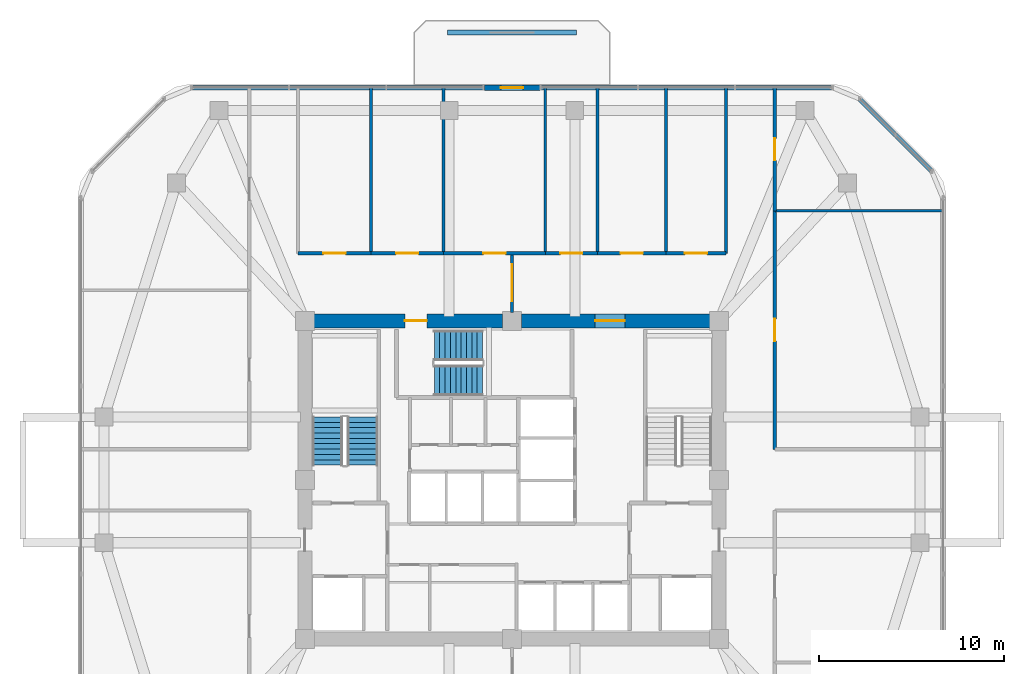
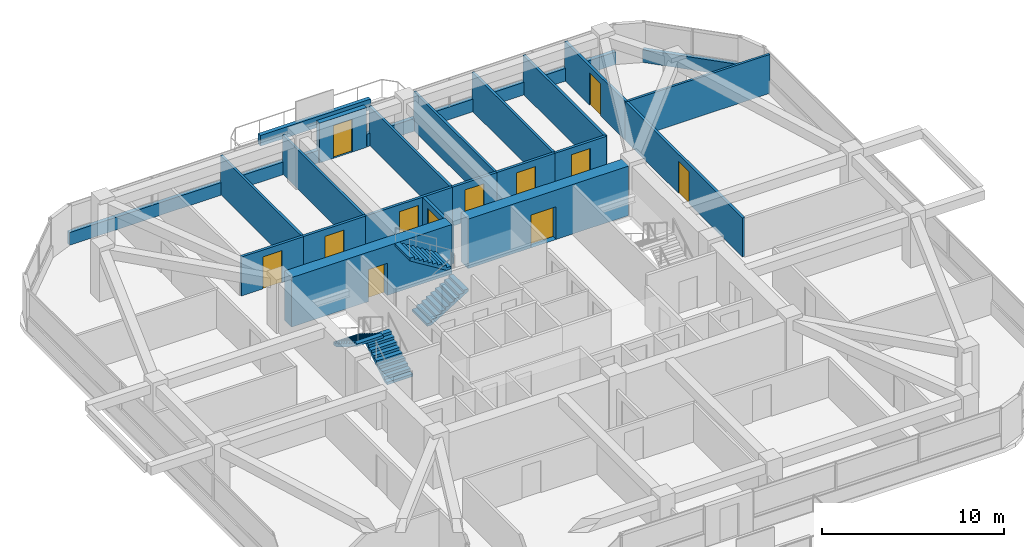
# One storey, part 9 of 12: 23 walls, 12 doors, 4 stair flights, 12 openings, 2 elements without a shape of their own.
"""IFC4 building model written with IfcOpenShell, lengths in metres."""

from ifc_helpers import new_model, si_unit, derived_unit, direction, frame, frame_2d, origin, place, context, subcontext, project, spatial, polyline, rectangle, outline, extrude, material, layer, layer_set, type_object, element, fill, aggregate, save


model = new_model("IFC4")

# Units and contexts
model_context = context("Model", 3, precision=1e-05, world=origin(), true_north=direction((0.0, 1.0)))
body_context = subcontext(model_context, "Body", "Model", "MODEL_VIEW")
ifc_project = project(units=[si_unit("LENGTHUNIT", "METRE"), si_unit("AREAUNIT", "SQUARE_METRE"), si_unit("VOLUMEUNIT", "CUBIC_METRE"), si_unit("PLANEANGLEUNIT", "RADIAN"), si_unit("MASSUNIT", "GRAM", prefix="KILO"), derived_unit("THERMALTRANSMITTANCEUNIT", [(si_unit("POWERUNIT", "WATT"), 1), (si_unit("LENGTHUNIT", "METRE"), -2), (si_unit("THERMODYNAMICTEMPERATUREUNIT", "KELVIN"), -1)])], contexts=[model_context])

# Site, building, storey
site_placement = place(None, origin())
site = spatial("IfcSite", under=ifc_project, at=site_placement, CompositionType="ELEMENT")
building_placement = place(site_placement, origin())
building = spatial("IfcBuilding", under=site, at=building_placement, Name="Koralith Skygarden Medical Center", CompositionType="ELEMENT")
storey_placement = place(building_placement, frame((0.0, 0.0, 152.820068359375)))
storey = spatial("IfcBuildingStorey", under=building, at=storey_placement, Name="L39", CompositionType="ELEMENT", Elevation=152.820068359375)

# Walls
ifc_material_1 = material(Name="Gypsum Board Partition")
ifc_layer_1 = layer(ifc_material_1, 0.14990234375)
ifc_layer_set_1 = layer_set([ifc_layer_1], Name="Gypsum Board Partition")
wall_type_1 = type_object("IfcWallType", Name="Clinical Acoustic Partition 150", PredefinedType="PARTITIONING", material=ifc_layer_set_1)
for number, where, z_axis, x_axis, name in (
    (1, (29.3701171875, 38.159912109375, 0.0), (0.0, 0.0, 1.0), (0.0, 1.0, 0.0), "L39 Clinical Acoustic Partition 150 W-PART-L39-N-01"),
    (2, (33.301025390625, 38.159912109375, 0.0), (0.0, 0.0, 1.0), (0.0, 1.0, 0.0), "L39 Clinical Acoustic Partition 150 W-PART-L39-N-02"),
    (3, (38.800048828125, 38.159912109375, 0.0), (0.0, 0.0, 1.0), (0.0, 1.0, 0.0), "L39 Clinical Acoustic Partition 150 W-PART-L39-N-03"),
    (4, (41.6240234375, 38.159912109375, 0.0), (0.0, 0.0, 1.0), (0.0, 1.0, 0.0), "L39 Clinical Acoustic Partition 150 W-PART-L39-N-04"),
    (5, (45.322998046875, 38.159912109375, 0.0), (0.0, 0.0, 1.0), (0.0, 1.0, 0.0), "L39 Clinical Acoustic Partition 150 W-PART-L39-N-05"),
):
    element("IfcWall", number, at=place(storey_placement, frame(where, z_axis=z_axis, x_axis=x_axis)), inside=storey, type_object=wall_type_1, Name=name, PredefinedType="PARTITIONING", context=body_context, shape_type="SweptSolid", body=[
        extrude(rectangle(XDim=8.940185546875, YDim=0.14990234375, at=frame_2d((4.47021484375, 0.0))), origin(), (0.0, 0.0, 1.0), 2.60986328125),
    ])
wall_1_placement = place(storey_placement, frame((51.2099609375, 40.4560546875, 0.0), z_axis=(0.0, 0.0, 1.0), x_axis=(1.0, 0.0, 0.0)))
element("IfcWall", 6, at=wall_1_placement, inside=storey, type_object=wall_type_1, Name="L39 Clinical Acoustic Partition 150 W-PART-L39-EN-01", PredefinedType="PARTITIONING", context=body_context, shape_type="SweptSolid", body=[
    extrude(rectangle(XDim=9.073974609375, YDim=0.14990234375, at=frame_2d((4.537109375, 0.0))), origin(), (0.0, 0.0, 1.0), 2.60986328125),
])
ifc_layer_2 = layer(ifc_material_1, 0.1650390625)
ifc_layer_set_2 = layer_set([ifc_layer_2], Name="Gypsum Board Partition")
wall_type_2 = type_object("IfcWallType", Name="Clinical Corridor Partition 165", PredefinedType="PARTITIONING", material=ifc_layer_set_2)
wall_2_placement = place(storey_placement, frame((48.570068359375, 38.159912109375, 0.0), z_axis=(0.0, 0.0, 1.0), x_axis=(0.0, 1.0, 0.0)))
element("IfcWall", 7, at=wall_2_placement, inside=storey, type_object=wall_type_2, Name="L39 Clinical Corridor Partition 165 W-HCOR-L39-NE", PredefinedType="PARTITIONING", context=body_context, shape_type="SweptSolid", body=[
    extrude(rectangle(XDim=8.940185546875, YDim=0.1650390625, at=frame_2d((4.47021484375, 0.0))), origin(), (0.0, 0.0, 1.0), 2.60986328125),
])

# Wall, opening, door
wall_3_placement = place(storey_placement, frame((25.429931640625, 38.159912109375, 0.0), z_axis=(0.0, 0.0, 1.0), x_axis=(1.0, 0.0, 0.0)))
wall_3 = element("IfcWall", 8, at=wall_3_placement, inside=storey, type_object=wall_type_2, Name="L39 Clinical Corridor Partition 165 W-CORR-L39-N-01", PredefinedType="PARTITIONING", context=body_context, shape_type="SweptSolid", body=[
    extrude(rectangle(XDim=3.940185546875, YDim=0.1650390625, at=frame_2d((1.97021484375, 0.0))), origin(), (0.0, 0.0, 1.0), 2.60986328125),
])
opening_1_placement = place(wall_3_placement, frame((1.3701171875, 0.0, 0.0)))
opening_1 = element("IfcOpeningElement", 9, at=opening_1_placement, cuts=wall_3, Name="Opening D-CLN", PredefinedType="OPENING", context=body_context, shape_type="SweptSolid", body=[
    extrude(rectangle(XDim=1.199951171875, YDim=2.14990234375, at=frame_2d((0.60009765625, 1.074951171875))), frame((0.0, 0.092529296875, 0.0), z_axis=(0.0, -1.0, 0.0), x_axis=(1.0, 0.0, 0.0)), (0.0, 0.0, 1.0), 0.18505859375),
])
ifc_material_2 = material(Name="Aluminium 6063-T6", Category="aluminium")
door_type_1 = type_object("IfcDoorType", Name="Clinical Corridor Door D-CLN 1200", OperationType="NOTDEFINED", PredefinedType="DOOR", material=ifc_material_2)
door_1_placement = place(opening_1_placement, origin())
door_1 = element("IfcDoor", 10, at=door_1_placement, inside=storey, type_object=door_type_1, Name="L39 Renal Mobility Exercise Hall 01 Door", OperationType="SINGLE_SWING_RIGHT", OverallHeight=2.14990234375, OverallWidth=1.199951171875, PredefinedType="DOOR", context=body_context, shape_type="SweptSolid", body=[
    extrude(rectangle(XDim=1.199951171875, YDim=2.14990234375, at=frame_2d((0.60009765625, 1.074951171875))), frame((0.0, 0.02490234375, 0.0), z_axis=(0.0, -1.0, 0.0), x_axis=(1.0, 0.0, 0.0)), (0.0, 0.0, 1.0), 0.050048828125),
])
fill(opening_1, door_1)

wall_4_placement = place(storey_placement, frame((29.3701171875, 38.159912109375, 0.0), z_axis=(0.0, 0.0, 1.0), x_axis=(1.0, 0.0, 0.0)))
wall_4 = element("IfcWall", 11, at=wall_4_placement, inside=storey, type_object=wall_type_2, Name="L39 Clinical Corridor Partition 165 W-CORR-L39-N-02", PredefinedType="PARTITIONING", context=body_context, shape_type="SweptSolid", body=[
    extrude(rectangle(XDim=3.930908203125, YDim=0.1650390625, at=frame_2d((1.96533203125, 0.0))), origin(), (0.0, 0.0, 1.0), 2.60986328125),
])
opening_2_placement = place(wall_4_placement, frame((1.365966796875, 0.0, 0.0)))
opening_2 = element("IfcOpeningElement", 12, at=opening_2_placement, cuts=wall_4, Name="Opening D-CLN", PredefinedType="OPENING", context=body_context, shape_type="SweptSolid", body=[
    extrude(rectangle(XDim=1.199951171875, YDim=2.14990234375, at=frame_2d((0.60009765625, 1.074951171875))), frame((0.0, 0.092529296875, 0.0), z_axis=(0.0, -1.0, 0.0), x_axis=(1.0, 0.0, 0.0)), (0.0, 0.0, 1.0), 0.18505859375),
])
door_2_placement = place(opening_2_placement, origin())
door_2 = element("IfcDoor", 13, at=door_2_placement, inside=storey, type_object=door_type_1, Name="L39 Dialysis Recovery Sitting Lounge 02 Door", OperationType="SINGLE_SWING_LEFT", OverallHeight=2.14990234375, OverallWidth=1.199951171875, PredefinedType="DOOR", context=body_context, shape_type="SweptSolid", body=[
    extrude(rectangle(XDim=1.199951171875, YDim=2.14990234375, at=frame_2d((0.60009765625, 1.074951171875))), frame((0.0, 0.02490234375, 0.0), z_axis=(0.0, -1.0, 0.0), x_axis=(1.0, 0.0, 0.0)), (0.0, 0.0, 1.0), 0.050048828125),
])
fill(opening_2, door_2)

wall_5_placement = place(storey_placement, frame((33.301025390625, 38.159912109375, 0.0), z_axis=(0.0, 0.0, 1.0), x_axis=(1.0, 0.0, 0.0)))
wall_5 = element("IfcWall", 14, at=wall_5_placement, inside=storey, type_object=wall_type_2, Name="L39 Clinical Corridor Partition 165 W-CORR-L39-N-03", PredefinedType="PARTITIONING", context=body_context, shape_type="SweptSolid", body=[
    extrude(rectangle(XDim=5.4990234375, YDim=0.1650390625, at=frame_2d((2.74951171875, 0.0))), origin(), (0.0, 0.0, 1.0), 2.60986328125),
])
opening_3_placement = place(wall_5_placement, frame((2.14892578125, 0.0, 0.0)))
opening_3 = element("IfcOpeningElement", 15, at=opening_3_placement, cuts=wall_5, Name="Opening D-CLN", PredefinedType="OPENING", context=body_context, shape_type="SweptSolid", body=[
    extrude(rectangle(XDim=1.199951171875, YDim=2.14990234375, at=frame_2d((0.60009765625, 1.074951171875))), frame((0.0, 0.092529296875, 0.0), z_axis=(0.0, -1.0, 0.0), x_axis=(1.0, 0.0, 0.0)), (0.0, 0.0, 1.0), 0.18505859375),
])
door_3_placement = place(opening_3_placement, origin())
door_3 = element("IfcDoor", 16, at=door_3_placement, inside=storey, type_object=door_type_1, Name="L39 Patient and Family Sky-Garden Day Lounge 03 Door", OperationType="SINGLE_SWING_RIGHT", OverallHeight=2.14990234375, OverallWidth=1.199951171875, PredefinedType="DOOR", context=body_context, shape_type="SweptSolid", body=[
    extrude(rectangle(XDim=1.199951171875, YDim=2.14990234375, at=frame_2d((0.60009765625, 1.074951171875))), frame((0.0, 0.02490234375, 0.0), z_axis=(0.0, -1.0, 0.0), x_axis=(1.0, 0.0, 0.0)), (0.0, 0.0, 1.0), 0.050048828125),
])
fill(opening_3, door_3)

wall_6_placement = place(storey_placement, frame((38.800048828125, 38.159912109375, 0.0), z_axis=(0.0, 0.0, 1.0), x_axis=(1.0, 0.0, 0.0)))
wall_6 = element("IfcWall", 17, at=wall_6_placement, inside=storey, type_object=wall_type_2, Name="L39 Clinical Corridor Partition 165 W-CORR-L39-N-04", PredefinedType="PARTITIONING", context=body_context, shape_type="SweptSolid", body=[
    extrude(rectangle(XDim=2.823974609375, YDim=0.1650390625, at=frame_2d((1.412109375, 0.0))), origin(), (0.0, 0.0, 1.0), 2.60986328125),
])
opening_4_placement = place(wall_6_placement, frame((0.81201171875, 0.0, 0.0)))
opening_4 = element("IfcOpeningElement", 18, at=opening_4_placement, cuts=wall_6, Name="Opening D-CLN", PredefinedType="OPENING", context=body_context, shape_type="SweptSolid", body=[
    extrude(rectangle(XDim=1.199951171875, YDim=2.14990234375, at=frame_2d((0.60009765625, 1.074951171875))), frame((0.0, 0.092529296875, 0.0), z_axis=(0.0, -1.0, 0.0), x_axis=(1.0, 0.0, 0.0)), (0.0, 0.0, 1.0), 0.18505859375),
])
door_4_placement = place(opening_4_placement, origin())
door_4 = element("IfcDoor", 19, at=door_4_placement, inside=storey, type_object=door_type_1, Name="L39 Renal Dietetics Classroom 04 Door", OperationType="SINGLE_SWING_LEFT", OverallHeight=2.14990234375, OverallWidth=1.199951171875, PredefinedType="DOOR", context=body_context, shape_type="SweptSolid", body=[
    extrude(rectangle(XDim=1.199951171875, YDim=2.14990234375, at=frame_2d((0.60009765625, 1.074951171875))), frame((0.0, 0.02490234375, 0.0), z_axis=(0.0, -1.0, 0.0), x_axis=(1.0, 0.0, 0.0)), (0.0, 0.0, 1.0), 0.050048828125),
])
fill(opening_4, door_4)

wall_7_placement = place(storey_placement, frame((41.6240234375, 38.159912109375, 0.0), z_axis=(0.0, 0.0, 1.0), x_axis=(1.0, 0.0, 0.0)))
wall_7 = element("IfcWall", 20, at=wall_7_placement, inside=storey, type_object=wall_type_2, Name="L39 Clinical Corridor Partition 165 W-CORR-L39-N-05", PredefinedType="PARTITIONING", context=body_context, shape_type="SweptSolid", body=[
    extrude(rectangle(XDim=3.698974609375, YDim=0.1650390625, at=frame_2d((1.849609375, 0.0))), origin(), (0.0, 0.0, 1.0), 2.60986328125),
])
opening_5_placement = place(wall_7_placement, frame((1.2490234375, 0.0, 0.0)))
opening_5 = element("IfcOpeningElement", 21, at=opening_5_placement, cuts=wall_7, Name="Opening D-CLN", PredefinedType="OPENING", context=body_context, shape_type="SweptSolid", body=[
    extrude(rectangle(XDim=1.199951171875, YDim=2.14990234375, at=frame_2d((0.60009765625, 1.074951171875))), frame((0.0, 0.092529296875, 0.0), z_axis=(0.0, -1.0, 0.0), x_axis=(1.0, 0.0, 0.0)), (0.0, 0.0, 1.0), 0.18505859375),
])
door_5_placement = place(opening_5_placement, origin())
door_5 = element("IfcDoor", 22, at=door_5_placement, inside=storey, type_object=door_type_1, Name="L39 Public Accessible Restroom WC 05 Door", OperationType="SINGLE_SWING_RIGHT", OverallHeight=2.14990234375, OverallWidth=1.199951171875, PredefinedType="DOOR", context=body_context, shape_type="SweptSolid", body=[
    extrude(rectangle(XDim=1.199951171875, YDim=2.14990234375, at=frame_2d((0.60009765625, 1.074951171875))), frame((0.0, 0.02490234375, 0.0), z_axis=(0.0, -1.0, 0.0), x_axis=(1.0, 0.0, 0.0)), (0.0, 0.0, 1.0), 0.050048828125),
])
fill(opening_5, door_5)

wall_8_placement = place(storey_placement, frame((45.322998046875, 38.159912109375, 0.0), z_axis=(0.0, 0.0, 1.0), x_axis=(1.0, 0.0, 0.0)))
wall_8 = element("IfcWall", 23, at=wall_8_placement, inside=storey, type_object=wall_type_2, Name="L39 Clinical Corridor Partition 165 W-CORR-L39-N-06", PredefinedType="PARTITIONING", context=body_context, shape_type="SweptSolid", body=[
    extrude(rectangle(XDim=3.2470703125, YDim=0.1650390625, at=frame_2d((1.62353515625, 0.0))), origin(), (0.0, 0.0, 1.0), 2.60986328125),
])
opening_6_placement = place(wall_8_placement, frame((1.02294921875, 0.0, 0.0)))
opening_6 = element("IfcOpeningElement", 24, at=opening_6_placement, cuts=wall_8, Name="Opening D-CLN", PredefinedType="OPENING", context=body_context, shape_type="SweptSolid", body=[
    extrude(rectangle(XDim=1.199951171875, YDim=2.14990234375, at=frame_2d((0.60009765625, 1.074951171875))), frame((0.0, 0.092529296875, 0.0), z_axis=(0.0, -1.0, 0.0), x_axis=(1.0, 0.0, 0.0)), (0.0, 0.0, 1.0), 0.18505859375),
])
door_6_placement = place(opening_6_placement, origin())
door_6 = element("IfcDoor", 25, at=door_6_placement, inside=storey, type_object=door_type_1, Name="L39 Renal Mobility Exercise Hall 06 Door", OperationType="SINGLE_SWING_LEFT", OverallHeight=2.14990234375, OverallWidth=1.199951171875, PredefinedType="DOOR", context=body_context, shape_type="SweptSolid", body=[
    extrude(rectangle(XDim=1.199951171875, YDim=2.14990234375, at=frame_2d((0.60009765625, 1.074951171875))), frame((0.0, 0.02490234375, 0.0), z_axis=(0.0, -1.0, 0.0), x_axis=(1.0, 0.0, 0.0)), (0.0, 0.0, 1.0), 0.050048828125),
])
fill(opening_6, door_6)

wall_9_placement = place(storey_placement, frame((51.2099609375, 27.56005859375, 0.0), z_axis=(0.0, 0.0, 1.0), x_axis=(0.0, 1.0, 0.0)))
wall_9 = element("IfcWall", 26, at=wall_9_placement, inside=storey, type_object=wall_type_2, Name="L39 Clinical Corridor Partition 165 W-CORR-L39-EN-01", PredefinedType="PARTITIONING", context=body_context, shape_type="SweptSolid", body=[
    extrude(rectangle(XDim=12.89599609375, YDim=0.1650390625, at=frame_2d((6.447998046875, 0.0))), origin(), (0.0, 0.0, 1.0), 2.60986328125),
])
opening_7_placement = place(wall_9_placement, frame((5.847900390625, 0.0, 0.0)))
opening_7 = element("IfcOpeningElement", 27, at=opening_7_placement, cuts=wall_9, Name="Opening D-CLN", PredefinedType="OPENING", context=body_context, shape_type="SweptSolid", body=[
    extrude(rectangle(XDim=1.199951171875, YDim=2.14990234375, at=frame_2d((0.60009765625, 1.074951171875))), frame((0.0, 0.092529296875, 0.0), z_axis=(0.0, -1.0, 0.0), x_axis=(1.0, 0.0, 0.0)), (0.0, 0.0, 1.0), 0.18505859375),
])
door_7_placement = place(opening_7_placement, origin())
door_7 = element("IfcDoor", 28, at=door_7_placement, inside=storey, type_object=door_type_1, Name="L39 Dialysis Recovery Sitting Lounge 16 Door", OperationType="SINGLE_SWING_LEFT", OverallHeight=2.14990234375, OverallWidth=1.199951171875, PredefinedType="DOOR", context=body_context, shape_type="SweptSolid", body=[
    extrude(rectangle(XDim=1.199951171875, YDim=2.14990234375, at=frame_2d((0.60009765625, 1.074951171875))), frame((0.0, 0.02490234375, 0.0), z_axis=(0.0, -1.0, 0.0), x_axis=(1.0, 0.0, 0.0)), (0.0, 0.0, 1.0), 0.050048828125),
])
fill(opening_7, door_7)

wall_10_placement = place(storey_placement, frame((51.2099609375, 40.4560546875, 0.0), z_axis=(0.0, 0.0, 1.0), x_axis=(0.0, 1.0, 0.0)))
wall_10 = element("IfcWall", 29, at=wall_10_placement, inside=storey, type_object=wall_type_2, Name="L39 Clinical Corridor Partition 165 W-CORR-L39-EN-02", PredefinedType="PARTITIONING", context=body_context, shape_type="SweptSolid", body=[
    extrude(rectangle(XDim=6.64404296875, YDim=0.1650390625, at=frame_2d((3.322021484375, 0.0))), origin(), (0.0, 0.0, 1.0), 2.60986328125),
])
opening_8_placement = place(wall_10_placement, frame((2.721923828125, 0.0, 0.0)))
opening_8 = element("IfcOpeningElement", 30, at=opening_8_placement, cuts=wall_10, Name="Opening D-CLN", PredefinedType="OPENING", context=body_context, shape_type="SweptSolid", body=[
    extrude(rectangle(XDim=1.199951171875, YDim=2.14990234375, at=frame_2d((0.60009765625, 1.074951171875))), frame((0.0, 0.092529296875, 0.0), z_axis=(0.0, -1.0, 0.0), x_axis=(1.0, 0.0, 0.0)), (0.0, 0.0, 1.0), 0.18505859375),
])
door_8_placement = place(opening_8_placement, origin())
door_8 = element("IfcDoor", 31, at=door_8_placement, inside=storey, type_object=door_type_1, Name="L39 Renal Dietetics Classroom 17 Door", OperationType="SINGLE_SWING_RIGHT", OverallHeight=2.14990234375, OverallWidth=1.199951171875, PredefinedType="DOOR", context=body_context, shape_type="SweptSolid", body=[
    extrude(rectangle(XDim=1.199951171875, YDim=2.14990234375, at=frame_2d((0.60009765625, 1.074951171875))), frame((0.0, 0.02490234375, 0.0), z_axis=(0.0, -1.0, 0.0), x_axis=(1.0, 0.0, 0.0)), (0.0, 0.0, 1.0), 0.050048828125),
])
fill(opening_8, door_8)

ifc_layer_3 = layer(ifc_material_1, 0.179931640625)
ifc_layer_set_3 = layer_set([ifc_layer_3], Name="Gypsum Board Partition")
wall_type_3 = type_object("IfcWallType", Name="Group I-2 Smoke Barrier Wall 180", PredefinedType="PARTITIONING", material=ifc_layer_set_3)
wall_11_placement = place(storey_placement, frame((37.0, 34.949951171875, 0.0), z_axis=(0.0, 0.0, 1.0), x_axis=(0.0, 1.0, 0.0)))
wall_11 = element("IfcWall", 32, at=wall_11_placement, inside=storey, type_object=wall_type_3, Name="L39 Group I-2 Smoke Barrier Wall 180 W-SMK-L39-N", PredefinedType="PARTITIONING", context=body_context, shape_type="SweptSolid", body=[
    extrude(rectangle(XDim=3.2099609375, YDim=0.179931640625, at=frame_2d((1.60498046875, 0.0))), origin(), (0.0, 0.0, 1.0), 2.60986328125),
])
opening_9_placement = place(wall_11_placement, frame((0.60498046875, 0.0, 0.0)))
opening_9 = element("IfcOpeningElement", 33, at=opening_9_placement, cuts=wall_11, Name="Opening D-SMK", PredefinedType="OPENING", context=body_context, shape_type="SweptSolid", body=[
    extrude(rectangle(XDim=2.0, YDim=2.199951171875, at=frame_2d((1.0, 1.10009765625))), frame((0.0, 0.099853515625, 0.0), z_axis=(0.0, -1.0, 0.0), x_axis=(1.0, 0.0, 0.0)), (0.0, 0.0, 1.0), 0.199951171875),
])
ifc_material_3 = material(Name="Steel ASTM A500 Grade C", Category="steel")
door_type_2 = type_object("IfcDoorType", Name="Cross-Corridor Double Smoke Door FD60S 2000", OperationType="NOTDEFINED", PredefinedType="DOOR", material=ifc_material_3)
door_9_placement = place(opening_9_placement, origin())
door_9 = element("IfcDoor", 34, at=door_9_placement, inside=storey, type_object=door_type_2, Name="L39 N Smoke Compartment Cross-Corridor Door", OperationType="DOUBLE_DOOR_SINGLE_SWING", OverallHeight=2.199951171875, OverallWidth=2.0, PredefinedType="DOOR", context=body_context, shape_type="SweptSolid", body=[
    extrude(rectangle(XDim=2.0, YDim=2.199951171875, at=frame_2d((1.0, 1.10009765625))), frame((0.0, 0.02490234375, 0.0), z_axis=(0.0, -1.0, 0.0), x_axis=(1.0, 0.0, 0.0)), (0.0, 0.0, 1.0), 0.050048828125),
])
fill(opening_9, door_9)

# Walls
ifc_material_4 = material(Name="Warm Oolitic Limestone Cladding", Category="masonry")
ifc_layer_4 = layer(ifc_material_4, 0.239990234375)
ifc_layer_set_4 = layer_set([ifc_layer_4], Name="Warm Oolitic Limestone Cladding")
wall_type_4 = type_object("IfcWallType", Name="Limestone Spandrel Sill Backup Wall 240", PredefinedType="SOLIDWALL", material=ifc_layer_set_4)
wall_12_placement = place(storey_placement, frame((59.702880859375, 42.595947265625, 0.0), z_axis=(0.0, 0.0, 1.0), x_axis=(-0.707084777957, 0.707128783731, 0.0)))
element("IfcWall", 35, at=wall_12_placement, inside=storey, type_object=wall_type_4, Name="L39 Sill Spandrel NE", PredefinedType="SOLIDWALL", context=body_context, shape_type="SweptSolid", body=[
    extrude(rectangle(XDim=5.5478515625, YDim=0.239990234375, at=frame_2d((2.77392578125, 0.0))), origin(), (0.0, 0.0, 1.0), 0.849853515625),
])
wall_13_placement = place(storey_placement, frame((54.3291015625, 47.1201171875, 0.0), z_axis=(0.0, 0.0, 1.0), x_axis=(-1.0, 0.0, 0.0)))
element("IfcWall", 36, at=wall_13_placement, inside=storey, type_object=wall_type_4, Name="L39 Sill Spandrel N-L", PredefinedType="SOLIDWALL", context=body_context, shape_type="SweptSolid", body=[
    extrude(rectangle(XDim=15.7880859375, YDim=0.239990234375, at=frame_2d((7.89404296875, 0.0))), origin(), (0.0, 0.0, 1.0), 0.849853515625),
])
wall_14_placement = place(storey_placement, frame((35.4609375, 47.1201171875, 0.0), z_axis=(0.0, 0.0, 1.0), x_axis=(-1.0, 0.0, 0.0)))
element("IfcWall", 37, at=wall_14_placement, inside=storey, type_object=wall_type_4, Name="L39 Sill Spandrel N-R", PredefinedType="SOLIDWALL", context=body_context, shape_type="SweptSolid", body=[
    extrude(rectangle(XDim=15.7900390625, YDim=0.239990234375, at=frame_2d((7.89501953125, 0.0))), origin(), (0.0, 0.0, 1.0), 0.849853515625),
])

# Wall, opening, door
ifc_material_5 = material(Name="Concrete C70/85", Category="concrete")
ifc_layer_5 = layer(ifc_material_5, 0.75)
ifc_layer_set_5 = layer_set([ifc_layer_5], Name="Concrete C70/85")
wall_type_5 = type_object("IfcWallType", Name="Mid Core Shear Wall 750", PredefinedType="SHEAR", material=ifc_layer_set_5)
wall_15_placement = place(storey_placement, frame((47.695068359375, 34.5, 0.0), z_axis=(0.0, 0.0, 1.0), x_axis=(-1.0, 0.0, 0.0)))
wall_15 = element("IfcWall", 38, at=wall_15_placement, inside=storey, type_object=wall_type_5, Name="L39 Core Shear Wall Segment 5", PredefinedType="SHEAR", context=body_context, shape_type="SweptSolid", body=[
    extrude(rectangle(XDim=10.190185546875, YDim=0.75, at=frame_2d((5.09521484375, 0.0))), origin(), (0.0, 0.0, 1.0), 3.31982421875),
])
opening_10_placement = place(wall_15_placement, frame((4.594970703125, 0.0, 0.0)))
opening_10 = element("IfcOpeningElement", 39, at=opening_10_placement, cuts=wall_15, Name="Opening D-DBL", PredefinedType="OPENING", context=body_context, shape_type="SweptSolid", body=[
    extrude(rectangle(XDim=1.60009765625, YDim=2.199951171875, at=frame_2d((0.800048828125, 1.10009765625))), frame((0.0, 0.385009765625, 0.0), z_axis=(0.0, -1.0, 0.0), x_axis=(1.0, 0.0, 0.0)), (0.0, 0.0, 1.0), 0.77001953125),
])
door_type_3 = type_object("IfcDoorType", Name="Double Clinical Suite Door D-DBL 1600", OperationType="NOTDEFINED", PredefinedType="DOOR", material=ifc_material_2)
door_10_placement = place(opening_10_placement, frame((1.60009765625, 0.0, 0.0), z_axis=(0.0, 0.0, 1.0), x_axis=(-1.0, 0.0, 0.0)))
door_10 = element("IfcDoor", 40, at=door_10_placement, inside=storey, type_object=door_type_3, Name="L39 North-East Corridor to Elevator Lobby Door", OperationType="DOUBLE_DOOR_SINGLE_SWING", OverallHeight=2.199951171875, OverallWidth=1.60009765625, PredefinedType="DOOR", context=body_context, shape_type="SweptSolid", body=[
    extrude(rectangle(XDim=1.60009765625, YDim=2.199951171875, at=frame_2d((0.800048828125, 1.10009765625))), frame((0.0, 0.02490234375, 0.0), z_axis=(0.0, -1.0, 0.0), x_axis=(1.0, 0.0, 0.0)), (0.0, 0.0, 1.0), 0.050048828125),
])
fill(opening_10, door_10)

wall_16_placement = place(storey_placement, frame((36.4951171875, 34.5, 0.0), z_axis=(0.0, 0.0, 1.0), x_axis=(-1.0, 0.0, 0.0)))
wall_16 = element("IfcWall", 41, at=wall_16_placement, inside=storey, type_object=wall_type_5, Name="L39 Core Shear Wall Segment 6", PredefinedType="SHEAR", context=body_context, shape_type="SweptSolid", body=[
    extrude(rectangle(XDim=10.190185546875, YDim=0.75, at=frame_2d((5.09521484375, 0.0))), origin(), (0.0, 0.0, 1.0), 3.31982421875),
])
opening_11_placement = place(wall_16_placement, frame((4.094970703125, 0.0, 0.0)))
opening_11 = element("IfcOpeningElement", 42, at=opening_11_placement, cuts=wall_16, Name="Opening D-ST60", PredefinedType="OPENING", context=body_context, shape_type="SweptSolid", body=[
    extrude(rectangle(XDim=1.199951171875, YDim=2.14990234375, at=frame_2d((0.60009765625, 1.074951171875))), frame((0.0, 0.385009765625, 0.0), z_axis=(0.0, -1.0, 0.0), x_axis=(1.0, 0.0, 0.0)), (0.0, 0.0, 1.0), 0.77001953125),
])
door_type_4 = type_object("IfcDoorType", Name="Smokeproof Stair Fire Door FD60S 1200", OperationType="NOTDEFINED", PredefinedType="DOOR", material=ifc_material_3)
door_11_placement = place(opening_11_placement, frame((1.199951171875, 0.0, 0.0), z_axis=(0.0, 0.0, 1.0), x_axis=(-1.0, 0.0, 0.0)))
door_11 = element("IfcDoor", 43, at=door_11_placement, inside=storey, type_object=door_type_4, Name="L39 Exit Stair ST3 Fire Door", OperationType="SINGLE_SWING_LEFT", OverallHeight=2.14990234375, OverallWidth=1.199951171875, PredefinedType="DOOR", context=body_context, shape_type="SweptSolid", body=[
    extrude(rectangle(XDim=1.199951171875, YDim=2.14990234375, at=frame_2d((0.60009765625, 1.074951171875))), frame((0.0, 0.02490234375, 0.0), z_axis=(0.0, -1.0, 0.0), x_axis=(1.0, 0.0, 0.0)), (0.0, 0.0, 1.0), 0.050048828125),
])
fill(opening_11, door_11)

ifc_layer_6 = layer(ifc_material_4, 0.300048828125)
ifc_layer_set_6 = layer_set([ifc_layer_6], Name="Warm Oolitic Limestone Cladding")
wall_type_6 = type_object("IfcWallType", Name="Oolitic Limestone Insulated Facade Wall 300", PredefinedType="SOLIDWALL", material=ifc_layer_set_6)
wall_17_placement = place(storey_placement, frame((38.5009765625, 47.1201171875, 0.0), z_axis=(0.0, 0.0, 1.0), x_axis=(-1.0, 0.0, 0.0)))
wall_17 = element("IfcWall", 44, at=wall_17_placement, inside=storey, type_object=wall_type_6, Name="L39 Terrace Portal Wall N", PredefinedType="SOLIDWALL", context=body_context, shape_type="SweptSolid", body=[
    extrude(rectangle(XDim=3.0, YDim=0.300048828125, at=frame_2d((1.5, 0.0))), origin(), (0.0, 0.0, 1.0), 2.669921875),
])
opening_12_placement = place(wall_17_placement, frame((0.89990234375, 0.0, 0.0)))
opening_12 = element("IfcOpeningElement", 45, at=opening_12_placement, cuts=wall_17, Name="Opening D-BAL", PredefinedType="OPENING", context=body_context, shape_type="SweptSolid", body=[
    extrude(rectangle(XDim=1.199951171875, YDim=2.199951171875, at=frame_2d((0.60009765625, 1.10009765625))), frame((0.0, 0.159912109375, 0.0), z_axis=(0.0, -1.0, 0.0), x_axis=(1.0, 0.0, 0.0)), (0.0, 0.0, 1.0), 0.320068359375),
])
door_type_5 = type_object("IfcDoorType", Name="Planted Balcony Glazed Terrace Door D-BAL 1200", OperationType="NOTDEFINED", PredefinedType="DOOR", material=ifc_material_2)
door_12_placement = place(opening_12_placement, origin())
door_12 = element("IfcDoor", 46, at=door_12_placement, inside=storey, type_object=door_type_5, Name="L39 N Outdoor Terrace Access Door", OperationType="SINGLE_SWING_RIGHT", OverallHeight=2.199951171875, OverallWidth=1.199951171875, PredefinedType="DOOR", context=body_context, shape_type="SweptSolid", body=[
    extrude(rectangle(XDim=1.199951171875, YDim=2.199951171875, at=frame_2d((0.60009765625, 1.10009765625))), frame((0.0, 0.02490234375, 0.0), z_axis=(0.0, -1.0, 0.0), x_axis=(1.0, 0.0, 0.0)), (0.0, 0.0, 1.0), 0.050048828125),
])
fill(opening_12, door_12)

# Wall
ifc_material_6 = material(Name="Precast concrete C40/50", Category="concrete")
ifc_layer_7 = layer(ifc_material_6, 0.25)
ifc_layer_set_7 = layer_set([ifc_layer_7], Name="Precast concrete C40/50")
wall_type_7 = type_object("IfcWallType", Name="Structural Concrete Balcony Planter Kerb 250", PredefinedType="PARAPET", material=ifc_layer_set_7)
wall_18_placement = place(storey_placement, frame((33.5, 50.10009765625, 0.0), z_axis=(0.0, 0.0, 1.0), x_axis=(1.0, 0.0, 0.0)))
element("IfcWall", 47, at=wall_18_placement, inside=storey, type_object=wall_type_7, Name="L39 N Structural Tree PLANTER Box", PredefinedType="PARAPET", context=body_context, shape_type="SweptSolid", body=[
    extrude(rectangle(XDim=7.0, YDim=0.25, at=frame_2d((3.5, 0.0))), origin(), (0.0, 0.0, 1.0), 0.719970703125),
])

# Stair, stair flights
ifc_material_7 = material(Name="Concrete C45/55", Category="concrete")
stair_type = type_object("IfcStairType", Name="Core Exit Dogleg Concrete Stair", PredefinedType="HALF_TURN_STAIR", material=ifc_material_7)
stair_1_placement = place(storey_placement, origin())
stair_1 = element("IfcStair", 48, at=stair_1_placement, inside=storey, type_object=stair_type, Name="L39 Smokeproof Exit Stair ST1", PredefinedType="HALF_TURN_STAIR")
stair_flight_type = type_object("IfcStairFlightType", Name="Core Exit Concrete Stair Flight 1650", PredefinedType="STRAIGHT", material=ifc_material_7)
stair_flight_1_placement = place(storey_placement, frame((28.925048828125, 26.699951171875, 0.0), z_axis=(0.0, 0.0, 1.0), x_axis=(0.0, 1.0, 0.0)))
stair_flight_1 = element("IfcStairFlight", 49, at=stair_flight_1_placement, type_object=stair_flight_type, Name="ST1 flight 1", NumberOfRisers=10, NumberOfTreads=9, PredefinedType="STRAIGHT", RiserHeight=0.18, TreadLength=0.29, context=body_context, shape_type="SweptSolid", body=[
    extrude(outline(polyline([(0.0, 0.0), (0.0, 0.179931640625), (0.2900390625, 0.179931640625), (0.2900390625, 0.360107421875), (0.580078125, 0.360107421875), (0.580078125, 0.5400390625), (0.8701171875, 0.5400390625), (0.8701171875, 0.719970703125), (1.159912109375, 0.719970703125), (1.159912109375, 0.89990234375), (1.449951171875, 0.89990234375), (1.449951171875, 1.080078125), (1.739990234375, 1.080078125), (1.739990234375, 1.260009765625), (2.030029296875, 1.260009765625), (2.030029296875, 1.43994140625), (2.320068359375, 1.43994140625), (2.320068359375, 1.6201171875), (2.610107421875, 1.6201171875), (2.610107421875, 1.800048828125), (2.610107421875, 1.443603515625), (0.2841796875, 0.0), (0.0, 0.0)])), frame((0.0, 0.824951171875, 0.0), z_axis=(0.0, -1.0, 0.0), x_axis=(1.0, 0.0, 0.0)), (0.0, 0.0, 1.0), 1.64990234375),
])
stair_flight_2_placement = place(storey_placement, frame((27.02490234375, 29.31005859375, 1.800048828125), z_axis=(0.0, 0.0, 1.0), x_axis=(0.0, -1.0, 0.0)))
stair_flight_2 = element("IfcStairFlight", 50, at=stair_flight_2_placement, type_object=stair_flight_type, Name="ST1 flight 2", NumberOfRisers=10, NumberOfTreads=9, PredefinedType="STRAIGHT", RiserHeight=0.18, TreadLength=0.29, context=body_context, shape_type="SweptSolid", body=[
    extrude(outline(polyline([(0.0, 0.0), (0.0, 0.179931640625), (0.2900390625, 0.179931640625), (0.2900390625, 0.360107421875), (0.580078125, 0.360107421875), (0.580078125, 0.5400390625), (0.8701171875, 0.5400390625), (0.8701171875, 0.719970703125), (1.159912109375, 0.719970703125), (1.159912109375, 0.89990234375), (1.449951171875, 0.89990234375), (1.449951171875, 1.080078125), (1.739990234375, 1.080078125), (1.739990234375, 1.260009765625), (2.030029296875, 1.260009765625), (2.030029296875, 1.43994140625), (2.320068359375, 1.43994140625), (2.320068359375, 1.6201171875), (2.610107421875, 1.6201171875), (2.610107421875, 1.800048828125), (2.610107421875, 1.443603515625), (0.2841796875, 0.0), (0.0, 0.0)])), frame((0.0, 0.824951171875, 0.0), z_axis=(0.0, -1.0, 0.0), x_axis=(1.0, 0.0, 0.0)), (0.0, 0.0, 1.0), 1.64990234375),
])
aggregate(stair_1, [stair_flight_1, stair_flight_2])

stair_2_placement = place(storey_placement, origin())
stair_2 = element("IfcStair", 51, at=stair_2_placement, inside=storey, type_object=stair_type, Name="L39 Smokeproof Exit Stair ST3", PredefinedType="HALF_TURN_STAIR")
stair_flight_3_placement = place(storey_placement, frame((32.800048828125, 31.27490234375, 0.0), z_axis=(0.0, 0.0, 1.0), x_axis=(1.0, 0.0, 0.0)))
stair_flight_3 = element("IfcStairFlight", 52, at=stair_flight_3_placement, type_object=stair_flight_type, Name="ST3 flight 1", NumberOfRisers=10, NumberOfTreads=9, PredefinedType="STRAIGHT", RiserHeight=0.18, TreadLength=0.29, context=body_context, shape_type="SweptSolid", body=[
    extrude(outline(polyline([(0.0, 0.0), (0.0, 0.179931640625), (0.2900390625, 0.179931640625), (0.2900390625, 0.360107421875), (0.580078125, 0.360107421875), (0.580078125, 0.5400390625), (0.8701171875, 0.5400390625), (0.8701171875, 0.719970703125), (1.159912109375, 0.719970703125), (1.159912109375, 0.89990234375), (1.449951171875, 0.89990234375), (1.449951171875, 1.080078125), (1.739990234375, 1.080078125), (1.739990234375, 1.260009765625), (2.030029296875, 1.260009765625), (2.030029296875, 1.43994140625), (2.320068359375, 1.43994140625), (2.320068359375, 1.6201171875), (2.610107421875, 1.6201171875), (2.610107421875, 1.800048828125), (2.610107421875, 1.443603515625), (0.2841796875, 0.0), (0.0, 0.0)])), frame((0.0, 0.824951171875, 0.0), z_axis=(0.0, -1.0, 0.0), x_axis=(1.0, 0.0, 0.0)), (0.0, 0.0, 1.0), 1.64990234375),
])
stair_flight_4_placement = place(storey_placement, frame((35.409912109375, 33.175048828125, 1.800048828125), z_axis=(0.0, 0.0, 1.0), x_axis=(-1.0, 0.0, 0.0)))
stair_flight_4 = element("IfcStairFlight", 53, at=stair_flight_4_placement, type_object=stair_flight_type, Name="ST3 flight 2", NumberOfRisers=10, NumberOfTreads=9, PredefinedType="STRAIGHT", RiserHeight=0.18, TreadLength=0.29, context=body_context, shape_type="SweptSolid", body=[
    extrude(outline(polyline([(0.0, 0.0), (0.0, 0.179931640625), (0.2900390625, 0.179931640625), (0.2900390625, 0.360107421875), (0.580078125, 0.360107421875), (0.580078125, 0.5400390625), (0.8701171875, 0.5400390625), (0.8701171875, 0.719970703125), (1.159912109375, 0.719970703125), (1.159912109375, 0.89990234375), (1.449951171875, 0.89990234375), (1.449951171875, 1.080078125), (1.739990234375, 1.080078125), (1.739990234375, 1.260009765625), (2.030029296875, 1.260009765625), (2.030029296875, 1.43994140625), (2.320068359375, 1.43994140625), (2.320068359375, 1.6201171875), (2.610107421875, 1.6201171875), (2.610107421875, 1.800048828125), (2.610107421875, 1.443603515625), (0.2841796875, 0.0), (0.0, 0.0)])), frame((0.0, 0.824951171875, 0.0), z_axis=(0.0, -1.0, 0.0), x_axis=(1.0, 0.0, 0.0)), (0.0, 0.0, 1.0), 1.64990234375),
])
aggregate(stair_2, [stair_flight_3, stair_flight_4])

save(model, "model.ifc")
